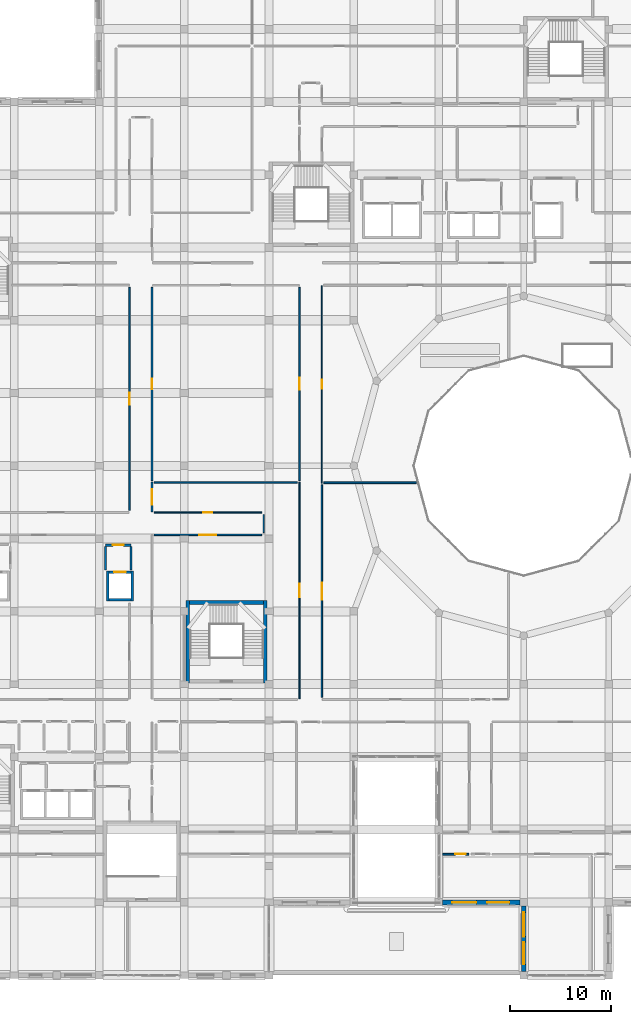
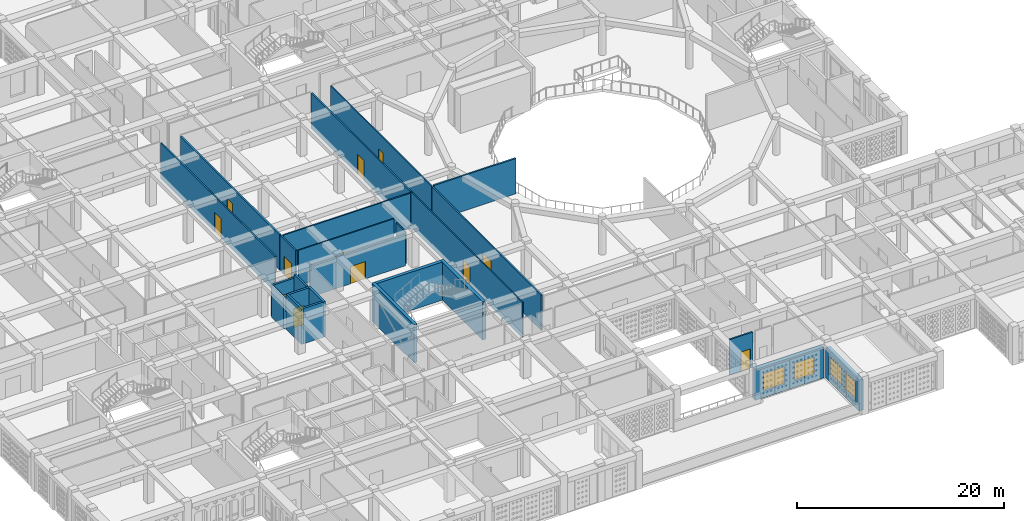
# One storey, part 60 of 111: 25 walls, 12 doors, 4 windows, 16 openings.
"""IFC4 building model written with IfcOpenShell, lengths in metres."""

from ifc_helpers import new_model, si_unit, derived_unit, direction, frame, frame_2d, origin, place, context, subcontext, project, spatial, rectangle, extrude, material, layer, layer_set, type_object, element, fill, save


model = new_model("IFC4")

# Units and contexts
model_context = context("Model", 3, precision=1e-05, world=origin(), true_north=direction((0.0, 1.0)))
body_context = subcontext(model_context, "Body", "Model", "MODEL_VIEW")
ifc_project = project(units=[si_unit("LENGTHUNIT", "METRE"), si_unit("AREAUNIT", "SQUARE_METRE"), si_unit("VOLUMEUNIT", "CUBIC_METRE"), si_unit("PLANEANGLEUNIT", "RADIAN"), si_unit("MASSUNIT", "GRAM", prefix="KILO"), derived_unit("THERMALTRANSMITTANCEUNIT", [(si_unit("POWERUNIT", "WATT"), 1), (si_unit("LENGTHUNIT", "METRE"), -2), (si_unit("THERMODYNAMICTEMPERATUREUNIT", "KELVIN"), -1)])], contexts=[model_context])

# Site, building, storey
site_placement = place(None, origin())
site = spatial("IfcSite", under=ifc_project, at=site_placement, CompositionType="ELEMENT")
building_placement = place(site_placement, origin())
building = spatial("IfcBuilding", under=site, at=building_placement, Name="Veybourne Emporium", CompositionType="ELEMENT")
storey_placement = place(building_placement, frame((0.0, 0.0, 9.89990234375)))
storey = spatial("IfcBuildingStorey", under=building, at=storey_placement, Name="L02", CompositionType="ELEMENT", Elevation=9.89990234375)

# Wall, openings, windows
ifc_material_1 = material(Name="Portland Limestone Ashlar", Category="masonry")
ifc_layer_1 = layer(ifc_material_1, 0.47998046875)
ifc_layer_set_1 = layer_set([ifc_layer_1], Name="Portland Limestone Ashlar")
wall_type_1 = type_object("IfcWallType", Name="ExtWall_EW-01", PredefinedType="SOLIDWALL", material=ifc_layer_set_1)
wall_1_placement = place(storey_placement, frame((75.22509765625, 7.199951171875, 0.0), z_axis=(0.0, 0.0, 1.0), x_axis=(-1.0, 0.0, 0.0)))
wall_1 = element("IfcWall", 1, at=wall_1_placement, inside=storey, type_object=wall_type_1, Name="L02 Portland stone external wall 035", PredefinedType="SOLIDWALL", context=body_context, shape_type="SweptSolid", body=[
    extrude(rectangle(XDim=7.650146484375, YDim=0.47998046875, at=frame_2d((3.8251953125, 0.0))), origin(), (0.0, 0.0, 1.0), 3.630126953125),
])
opening_1_placement = place(wall_1_placement, frame((1.0419921875, 0.0, 0.75)))
opening_1 = element("IfcOpeningElement", 2, at=opening_1_placement, cuts=wall_1, Name="Opening W-14", PredefinedType="OPENING", context=body_context, shape_type="SweptSolid", body=[
    extrude(rectangle(XDim=2.199951171875, YDim=2.080078125, at=frame_2d((1.10009765625, 1.0400390625))), frame((0.0, 0.260009765625, 0.0), z_axis=(0.0, -1.0, 0.0), x_axis=(1.0, 0.0, 0.0)), (0.0, 0.0, 1.0), 0.52001953125),
])
opening_2_placement = place(wall_1_placement, frame((4.30810546875, 0.0, 0.75)))
opening_2 = element("IfcOpeningElement", 3, at=opening_2_placement, cuts=wall_1, Name="Opening W-15", PredefinedType="OPENING", context=body_context, shape_type="SweptSolid", body=[
    extrude(rectangle(XDim=2.39990234375, YDim=2.080078125, at=frame_2d((1.199951171875, 1.0400390625))), frame((0.0, 0.260009765625, 0.0), z_axis=(0.0, -1.0, 0.0), x_axis=(1.0, 0.0, 0.0)), (0.0, 0.0, 1.0), 0.52001953125),
])
ifc_material_2 = material(Name="Low-E Triple Glazing", Category="glass")
window_type_1 = type_object("IfcWindowType", Name="Win_W-14", PartitioningType="TRIPLE_PANEL_VERTICAL", PredefinedType="WINDOW", material=ifc_material_2)
window_1_placement = place(opening_1_placement, origin())
window_1 = element("IfcWindow", 4, at=window_1_placement, inside=storey, type_object=window_type_1, Name="L02 tripartite bronze casement window W-14 (35.1)", OverallHeight=2.080078125, OverallWidth=2.199951171875, PartitioningType="TRIPLE_PANEL_VERTICAL", PredefinedType="WINDOW", context=body_context, shape_type="SweptSolid", body=[
    extrude(rectangle(XDim=2.199951171875, YDim=2.080078125, at=frame_2d((1.10009765625, 1.0400390625))), frame((0.0, 0.030029296875, 0.0), z_axis=(0.0, -1.0, 0.0), x_axis=(1.0, 0.0, 0.0)), (0.0, 0.0, 1.0), 0.06005859375),
])
fill(opening_1, window_1)
window_type_2 = type_object("IfcWindowType", Name="Win_W-15", PartitioningType="TRIPLE_PANEL_VERTICAL", PredefinedType="WINDOW", material=ifc_material_2)
window_2_placement = place(opening_2_placement, origin())
window_2 = element("IfcWindow", 5, at=window_2_placement, inside=storey, type_object=window_type_2, Name="L02 tripartite bronze casement window W-15 (35.2)", OverallHeight=2.080078125, OverallWidth=2.39990234375, PartitioningType="TRIPLE_PANEL_VERTICAL", PredefinedType="WINDOW", context=body_context, shape_type="SweptSolid", body=[
    extrude(rectangle(XDim=2.39990234375, YDim=2.080078125, at=frame_2d((1.199951171875, 1.0400390625))), frame((0.0, 0.030029296875, 0.0), z_axis=(0.0, -1.0, 0.0), x_axis=(1.0, 0.0, 0.0)), (0.0, 0.0, 1.0), 0.06005859375),
])
fill(opening_2, window_2)

wall_2_placement = place(storey_placement, frame((75.60009765625, 0.375, 0.0), z_axis=(0.0, 0.0, 1.0), x_axis=(0.0, 1.0, 0.0)))
wall_2 = element("IfcWall", 6, at=wall_2_placement, inside=storey, type_object=wall_type_1, Name="L02 Portland stone external wall 041", PredefinedType="SOLIDWALL", context=body_context, shape_type="SweptSolid", body=[
    extrude(rectangle(XDim=6.449951171875, YDim=0.47998046875, at=frame_2d((3.22509765625, 0.0))), origin(), (0.0, 0.0, 1.0), 3.630126953125),
])
opening_3_placement = place(wall_2_placement, frame((0.7060546875, 0.0, 0.75)))
opening_3 = element("IfcOpeningElement", 7, at=opening_3_placement, cuts=wall_2, Name="Opening W-22", PredefinedType="OPENING", context=body_context, shape_type="SweptSolid", body=[
    extrude(rectangle(XDim=2.199951171875, YDim=2.260009765625, at=frame_2d((1.10009765625, 1.1298828125))), frame((0.0, 0.260009765625, 0.0), z_axis=(0.0, -1.0, 0.0), x_axis=(1.0, 0.0, 0.0)), (0.0, 0.0, 1.0), 0.52001953125),
])
opening_4_placement = place(wall_2_placement, frame((3.444091796875, 0.0, 0.75)))
opening_4 = element("IfcOpeningElement", 8, at=opening_4_placement, cuts=wall_2, Name="Opening W-23", PredefinedType="OPENING", context=body_context, shape_type="SweptSolid", body=[
    extrude(rectangle(XDim=2.39990234375, YDim=2.260009765625, at=frame_2d((1.199951171875, 1.1298828125))), frame((0.0, 0.260009765625, 0.0), z_axis=(0.0, -1.0, 0.0), x_axis=(1.0, 0.0, 0.0)), (0.0, 0.0, 1.0), 0.52001953125),
])
window_type_3 = type_object("IfcWindowType", Name="Win_W-22", PartitioningType="TRIPLE_PANEL_VERTICAL", PredefinedType="WINDOW", material=ifc_material_2)
window_3_placement = place(opening_3_placement, origin())
window_3 = element("IfcWindow", 9, at=window_3_placement, inside=storey, type_object=window_type_3, Name="L02 tripartite bronze casement window W-22 (41.1)", OverallHeight=2.260009765625, OverallWidth=2.199951171875, PartitioningType="TRIPLE_PANEL_VERTICAL", PredefinedType="WINDOW", context=body_context, shape_type="SweptSolid", body=[
    extrude(rectangle(XDim=2.199951171875, YDim=2.260009765625, at=frame_2d((1.10009765625, 1.1298828125))), frame((0.0, 0.030029296875, 0.0), z_axis=(0.0, -1.0, 0.0), x_axis=(1.0, 0.0, 0.0)), (0.0, 0.0, 1.0), 0.06005859375),
])
fill(opening_3, window_3)
window_type_4 = type_object("IfcWindowType", Name="Win_W-23", PartitioningType="TRIPLE_PANEL_VERTICAL", PredefinedType="WINDOW", material=ifc_material_2)
window_4_placement = place(opening_4_placement, origin())
window_4 = element("IfcWindow", 10, at=window_4_placement, inside=storey, type_object=window_type_4, Name="L02 tripartite bronze casement window W-23 (41.2)", OverallHeight=2.260009765625, OverallWidth=2.39990234375, PartitioningType="TRIPLE_PANEL_VERTICAL", PredefinedType="WINDOW", context=body_context, shape_type="SweptSolid", body=[
    extrude(rectangle(XDim=2.39990234375, YDim=2.260009765625, at=frame_2d((1.199951171875, 1.1298828125))), frame((0.0, 0.030029296875, 0.0), z_axis=(0.0, -1.0, 0.0), x_axis=(1.0, 0.0, 0.0)), (0.0, 0.0, 1.0), 0.06005859375),
])
fill(opening_4, window_4)

# Walls
ifc_material_3 = material(Name="Concrete C40/50", Category="concrete")
ifc_layer_2 = layer(ifc_material_3, 0.35009765625)
ifc_layer_set_2 = layer_set([ifc_layer_2], Name="Concrete C40/50")
wall_type_2 = type_object("IfcWallType", Name="IntWall_CW-02", PredefinedType="SHEAR", material=ifc_layer_set_2)
wall_3_placement = place(storey_placement, frame((42.550048828125, 36.875, 0.0), z_axis=(0.0, 0.0, 1.0), x_axis=(1.0, 0.0, 0.0)))
element("IfcWall", 11, at=wall_3_placement, inside=storey, type_object=wall_type_2, Name="Core stair ST-05 north shear wall (L02)", PredefinedType="SHEAR", context=body_context, shape_type="SweptSolid", body=[
    extrude(rectangle(XDim=7.300048828125, YDim=0.35009765625, at=frame_2d((3.64990234375, 0.0))), origin(), (0.0, 0.0, 1.0), 4.5),
])
for number, where, z_axis, x_axis, name in (
    (12, (42.375, 37.050048828125, 0.0), (0.0, 0.0, 1.0), (0.0, -1.0, 0.0), "Core stair ST-05 west shear wall (L02)"),
    (13, (50.02490234375, 28.89990234375, 0.0), (0.0, 0.0, 1.0), (0.0, 1.0, 0.0), "Core stair ST-05 east shear wall (L02)"),
):
    element("IfcWall", number, at=place(storey_placement, frame(where, z_axis=z_axis, x_axis=x_axis)), inside=storey, type_object=wall_type_2, Name=name, PredefinedType="SHEAR", context=body_context, shape_type="SweptSolid", body=[
        extrude(rectangle(XDim=8.150146484375, YDim=0.35009765625, at=frame_2d((4.0751953125, 0.0))), origin(), (0.0, 0.0, 1.0), 4.5),
    ])

# Wall, opening, door
ifc_layer_3 = layer(ifc_material_3, 0.239990234375)
ifc_layer_set_3 = layer_set([ifc_layer_3], Name="Concrete C40/50")
wall_type_3 = type_object("IfcWallType", Name="IntWall_CW-04", PredefinedType="SHEAR", material=ifc_layer_set_3)
wall_4_placement = place(storey_placement, frame((36.760009765625, 39.8701171875, 0.0), z_axis=(0.0, 0.0, 1.0), x_axis=(-1.0, 0.0, 0.0)))
wall_4 = element("IfcWall", 14, at=wall_4_placement, inside=storey, type_object=wall_type_3, Name="Lift core C3 north shaft wall (L02)", PredefinedType="SHEAR", context=body_context, shape_type="SweptSolid", body=[
    extrude(rectangle(XDim=2.199951171875, YDim=0.239990234375, at=frame_2d((1.10009765625, 0.0))), origin(), (0.0, 0.0, 1.0), 4.18017578125),
])
opening_5_placement = place(wall_4_placement, frame((0.52490234375, 0.0, 0.0)))
opening_5 = element("IfcOpeningElement", 15, at=opening_5_placement, cuts=wall_4, Name="Opening LD-02", PredefinedType="OPENING", context=body_context, shape_type="SweptSolid", body=[
    extrude(rectangle(XDim=1.14990234375, YDim=2.25, at=frame_2d((0.574951171875, 1.125))), frame((0.0, 0.14013671875, 0.0), z_axis=(0.0, -1.0, 0.0), x_axis=(1.0, 0.0, 0.0)), (0.0, 0.0, 1.0), 0.280029296875),
])
ifc_material_4 = material(Name="Patinated Architectural Bronze", Category="bronze")
door_type_1 = type_object("IfcDoorType", Name="FireDoor_LD-02", OperationType="SLIDING_TO_LEFT", PredefinedType="DOOR", material=ifc_material_4)
door_1_placement = place(opening_5_placement, origin())
door_1 = element("IfcDoor", 16, at=door_1_placement, inside=storey, type_object=door_type_1, Name="Lift FFL-03 sliding landing door (L02)", OperationType="SLIDING_TO_LEFT", OverallHeight=2.25, OverallWidth=1.14990234375, PredefinedType="DOOR", context=body_context, shape_type="SweptSolid", body=[
    extrude(rectangle(XDim=1.14990234375, YDim=2.25, at=frame_2d((0.574951171875, 1.125))), frame((0.0, 0.02490234375, 0.0), z_axis=(0.0, -1.0, 0.0), x_axis=(1.0, 0.0, 0.0)), (0.0, 0.0, 1.0), 0.050048828125),
])
fill(opening_5, door_1)

# Walls
wall_5_placement = place(storey_placement, frame((34.56005859375, 37.1298828125, 0.0), z_axis=(0.0, 0.0, 1.0), x_axis=(1.0, 0.0, 0.0)))
element("IfcWall", 17, at=wall_5_placement, inside=storey, type_object=wall_type_3, Name="Lift core C3 south shaft wall (L02)", PredefinedType="SHEAR", context=body_context, shape_type="SweptSolid", body=[
    extrude(rectangle(XDim=2.199951171875, YDim=0.239990234375, at=frame_2d((1.10009765625, 0.0))), origin(), (0.0, 0.0, 1.0), 4.18017578125),
])
for number, where, z_axis, x_axis, name in (
    (18, (34.43994140625, 39.989990234375, 0.0), (0.0, 0.0, 1.0), (0.0, -1.0, 0.0), "Lift core C3 west shaft wall (L02)"),
    (19, (36.8798828125, 37.010009765625, 0.0), (0.0, 0.0, 1.0), (0.0, 1.0, 0.0), "Lift core C3 east shaft wall (L02)"),
):
    element("IfcWall", number, at=place(storey_placement, frame(where, z_axis=z_axis, x_axis=x_axis)), inside=storey, type_object=wall_type_3, Name=name, PredefinedType="SHEAR", context=body_context, shape_type="SweptSolid", body=[
        extrude(rectangle(XDim=2.97998046875, YDim=0.239990234375, at=frame_2d((1.489990234375, 0.0))), origin(), (0.0, 0.0, 1.0), 4.18017578125),
    ])

# Wall, opening, door
ifc_material_5 = material(Name="Concrete C32/40", Category="concrete")
ifc_layer_4 = layer(ifc_material_5, 0.219970703125)
ifc_layer_set_4 = layer_set([ifc_layer_4], Name="Concrete C32/40")
wall_type_4 = type_object("IfcWallType", Name="IntWall_FW-02", PredefinedType="SOLIDWALL", material=ifc_layer_set_4)
wall_6_placement = place(storey_placement, frame((34.219970703125, 42.550048828125, 0.0), z_axis=(0.0, 0.0, 1.0), x_axis=(1.0, 0.0, 0.0)))
wall_6 = element("IfcWall", 20, at=wall_6_placement, inside=storey, type_object=wall_type_4, Name="Firefighting lobby C3 fire wall N (L02)", PredefinedType="SOLIDWALL", context=body_context, shape_type="SweptSolid", body=[
    extrude(rectangle(XDim=2.5400390625, YDim=0.219970703125, at=frame_2d((1.27001953125, 0.0))), origin(), (0.0, 0.0, 1.0), 3.72998046875),
])
opening_6_placement = place(wall_6_placement, frame((0.7451171875, 0.0, 0.0)))
opening_6 = element("IfcOpeningElement", 21, at=opening_6_placement, cuts=wall_6, Name="Opening FD-02", PredefinedType="OPENING", context=body_context, shape_type="SweptSolid", body=[
    extrude(rectangle(XDim=1.050048828125, YDim=2.14990234375, at=frame_2d((0.52490234375, 1.074951171875))), frame((0.0, 0.1298828125, 0.0), z_axis=(0.0, -1.0, 0.0), x_axis=(1.0, 0.0, 0.0)), (0.0, 0.0, 1.0), 0.260009765625),
])
door_type_2 = type_object("IfcDoorType", Name="FireDoor_FD-02", OperationType="NOTDEFINED", PredefinedType="DOOR", material=ifc_material_4)
door_2_placement = place(opening_6_placement, origin())
door_2 = element("IfcDoor", 22, at=door_2_placement, inside=storey, type_object=door_type_2, Name="Firefighting lobby C3 FD60S door N (L02)", OperationType="SINGLE_SWING_LEFT", OverallHeight=2.14990234375, OverallWidth=1.050048828125, PredefinedType="DOOR", context=body_context, shape_type="SweptSolid", body=[
    extrude(rectangle(XDim=1.050048828125, YDim=2.14990234375, at=frame_2d((0.52490234375, 1.074951171875))), frame((0.0, 0.02490234375, 0.0), z_axis=(0.0, -1.0, 0.0), x_axis=(1.0, 0.0, 0.0)), (0.0, 0.0, 1.0), 0.050048828125),
])
fill(opening_6, door_2)

# Walls
wall_7_placement = place(storey_placement, frame((34.219970703125, 40.110107421875, 0.0), z_axis=(0.0, 0.0, 1.0), x_axis=(0.0, 1.0, 0.0)))
element("IfcWall", 23, at=wall_7_placement, inside=storey, type_object=wall_type_4, Name="Firefighting lobby C3 fire wall W (L02)", PredefinedType="SOLIDWALL", context=body_context, shape_type="SweptSolid", body=[
    extrude(rectangle(XDim=2.31982421875, YDim=0.219970703125, at=frame_2d((1.159912109375, 0.0))), origin(), (0.0, 0.0, 1.0), 3.72998046875),
])
wall_8_placement = place(storey_placement, frame((36.760009765625, 40.110107421875, 0.0), z_axis=(0.0, 0.0, 1.0), x_axis=(0.0, 1.0, 0.0)))
element("IfcWall", 24, at=wall_8_placement, inside=storey, type_object=wall_type_4, Name="Firefighting lobby C3 fire wall E (L02)", PredefinedType="SOLIDWALL", context=body_context, shape_type="SweptSolid", body=[
    extrude(rectangle(XDim=2.31982421875, YDim=0.219970703125, at=frame_2d((1.159912109375, 0.0))), origin(), (0.0, 0.0, 1.0), 4.18017578125),
])

# Wall, opening, door
ifc_material_6 = material(Name="Gypsum Acoustic Board", Category="gypsum")
ifc_layer_5 = layer(ifc_material_6, 0.179931640625)
ifc_layer_set_5 = layer_set([ifc_layer_5], Name="Gypsum Acoustic Board")
wall_type_5 = type_object("IfcWallType", Name="IntWall_IW-01", PredefinedType="PARTITIONING", material=ifc_layer_set_5)
wall_9_placement = place(storey_placement, frame((38.830078125, 48.93994140625, 0.0), z_axis=(0.0, 0.0, 1.0), x_axis=(0.0, 1.0, 0.0)))
wall_9 = element("IfcWall", 25, at=wall_9_placement, inside=storey, type_object=wall_type_5, Name="L02 interior partition IW-01 #006", PredefinedType="PARTITIONING", context=body_context, shape_type="SweptSolid", body=[
    extrude(rectangle(XDim=19.1201171875, YDim=0.179931640625, at=frame_2d((9.56005859375, 0.0))), origin(), (0.0, 0.0, 1.0), 4.18017578125),
])
opening_7_placement = place(wall_9_placement, frame((9.0400390625, 0.0, 0.0)))
opening_7 = element("IfcOpeningElement", 26, at=opening_7_placement, cuts=wall_9, Name="Opening D-26", PredefinedType="OPENING", context=body_context, shape_type="SweptSolid", body=[
    extrude(rectangle(XDim=1.0400390625, YDim=2.3701171875, at=frame_2d((0.52001953125, 1.18505859375))), frame((0.0, 0.10986328125, 0.0), z_axis=(0.0, -1.0, 0.0), x_axis=(1.0, 0.0, 0.0)), (0.0, 0.0, 1.0), 0.219970703125),
])
ifc_material_7 = material(Name="European Oak Veneer and Bronze", Category="wood")
door_type_3 = type_object("IfcDoorType", Name="IntDoor_D-26", OperationType="NOTDEFINED", PredefinedType="DOOR", material=ifc_material_7)
door_3_placement = place(opening_7_placement, origin())
door_3 = element("IfcDoor", 27, at=door_3_placement, inside=storey, type_object=door_type_3, Name="L02 interior door D-26 (PART-L02-006)", OperationType="SINGLE_SWING_LEFT", OverallHeight=2.3701171875, OverallWidth=1.0400390625, PredefinedType="DOOR", context=body_context, shape_type="SweptSolid", body=[
    extrude(rectangle(XDim=1.0400390625, YDim=2.3701171875, at=frame_2d((0.52001953125, 1.18505859375))), frame((0.0, 0.02490234375, 0.0), z_axis=(0.0, -1.0, 0.0), x_axis=(1.0, 0.0, 0.0)), (0.0, 0.0, 1.0), 0.050048828125),
])
fill(opening_7, door_3)

wall_10_placement = place(storey_placement, frame((38.830078125, 45.830078125, 0.0), z_axis=(0.0, 0.0, 1.0), x_axis=(0.0, 1.0, 0.0)))
wall_10 = element("IfcWall", 28, at=wall_10_placement, inside=storey, type_object=wall_type_5, Name="L02 interior partition IW-01 #105", PredefinedType="PARTITIONING", context=body_context, shape_type="SweptSolid", body=[
    extrude(rectangle(XDim=2.949951171875, YDim=0.179931640625, at=frame_2d((1.47509765625, 0.0))), origin(), (0.0, 0.0, 1.0), 4.18017578125),
])
opening_8_placement = place(wall_10_placement, frame((0.715087890625, 0.0, 0.0)))
opening_8 = element("IfcOpeningElement", 29, at=opening_8_placement, cuts=wall_10, Name="Opening D-17", PredefinedType="OPENING", context=body_context, shape_type="SweptSolid", body=[
    extrude(rectangle(XDim=1.52001953125, YDim=2.2099609375, at=frame_2d((0.760009765625, 1.10498046875))), frame((0.0, 0.10986328125, 0.0), z_axis=(0.0, -1.0, 0.0), x_axis=(1.0, 0.0, 0.0)), (0.0, 0.0, 1.0), 0.219970703125),
])
door_type_4 = type_object("IfcDoorType", Name="IntDoor_D-17", OperationType="NOTDEFINED", PredefinedType="DOOR", material=ifc_material_7)
door_4_placement = place(opening_8_placement, origin())
door_4 = element("IfcDoor", 30, at=door_4_placement, inside=storey, type_object=door_type_4, Name="L02 interior door D-17 (PART-L02-105)", OperationType="SINGLE_SWING_RIGHT", OverallHeight=2.2099609375, OverallWidth=1.52001953125, PredefinedType="DOOR", context=body_context, shape_type="SweptSolid", body=[
    extrude(rectangle(XDim=1.52001953125, YDim=2.2099609375, at=frame_2d((0.760009765625, 1.10498046875))), frame((0.0, 0.02490234375, 0.0), z_axis=(0.0, -1.0, 0.0), x_axis=(1.0, 0.0, 0.0)), (0.0, 0.0, 1.0), 0.050048828125),
])
fill(opening_8, door_4)

wall_11_placement = place(storey_placement, frame((67.570068359375, 11.969970703125, 0.0), z_axis=(0.0, 0.0, 1.0), x_axis=(1.0, 0.0, 0.0)))
wall_11 = element("IfcWall", 31, at=wall_11_placement, inside=storey, type_object=wall_type_5, Name="L02 interior partition IW-01 #108", PredefinedType="PARTITIONING", context=body_context, shape_type="SweptSolid", body=[
    extrude(rectangle(XDim=2.599853515625, YDim=0.179931640625, at=frame_2d((1.2998046875, 0.0))), origin(), (0.0, 0.0, 1.0), 4.18017578125),
])
opening_9_placement = place(wall_11_placement, frame((1.279296875, 0.0, 0.0)))
opening_9 = element("IfcOpeningElement", 32, at=opening_9_placement, cuts=wall_11, Name="Opening D-20", PredefinedType="OPENING", context=body_context, shape_type="SweptSolid", body=[
    extrude(rectangle(XDim=1.0400390625, YDim=2.2900390625, at=frame_2d((0.52001953125, 1.14501953125))), frame((0.0, 0.10986328125, 0.0), z_axis=(0.0, -1.0, 0.0), x_axis=(1.0, 0.0, 0.0)), (0.0, 0.0, 1.0), 0.219970703125),
])
door_type_5 = type_object("IfcDoorType", Name="IntDoor_D-20", OperationType="NOTDEFINED", PredefinedType="DOOR", material=ifc_material_7)
door_5_placement = place(opening_9_placement, origin())
door_5 = element("IfcDoor", 33, at=door_5_placement, inside=storey, type_object=door_type_5, Name="L02 interior door D-20 (PART-L02-108)", OperationType="SINGLE_SWING_RIGHT", OverallHeight=2.2900390625, OverallWidth=1.0400390625, PredefinedType="DOOR", context=body_context, shape_type="SweptSolid", body=[
    extrude(rectangle(XDim=1.0400390625, YDim=2.2900390625, at=frame_2d((0.52001953125, 1.14501953125))), frame((0.0, 0.02490234375, 0.0), z_axis=(0.0, -1.0, 0.0), x_axis=(1.0, 0.0, 0.0)), (0.0, 0.0, 1.0), 0.050048828125),
])
fill(opening_9, door_5)

# Wall
wall_12_placement = place(storey_placement, frame((55.840087890625, 48.72998046875, 0.0), z_axis=(0.0, 0.0, 1.0), x_axis=(1.0, 0.0, 0.0)))
element("IfcWall", 34, at=wall_12_placement, inside=storey, type_object=wall_type_5, Name="L02 interior partition IW-01 #186", PredefinedType="PARTITIONING", context=body_context, shape_type="SweptSolid", body=[
    extrude(rectangle(XDim=9.143798828125, YDim=0.179931640625, at=frame_2d((4.57177734375, 0.0))), origin(), (0.0, 0.0, 1.0), 4.18017578125),
])

# Wall, opening, door
ifc_layer_6 = layer(ifc_material_6, 0.14990234375)
ifc_layer_set_6 = layer_set([ifc_layer_6], Name="Gypsum Acoustic Board")
wall_type_6 = type_object("IfcWallType", Name="IntWall_IW-02", PredefinedType="PARTITIONING", material=ifc_layer_set_6)
wall_13_placement = place(storey_placement, frame((36.6201171875, 45.989990234375, 0.0), z_axis=(0.0, 0.0, 1.0), x_axis=(0.0, 1.0, 0.0)))
wall_13 = element("IfcWall", 35, at=wall_13_placement, inside=storey, type_object=wall_type_6, Name="L02 interior partition IW-02 #001", PredefinedType="PARTITIONING", context=body_context, shape_type="SweptSolid", body=[
    extrude(rectangle(XDim=22.070068359375, YDim=0.14990234375, at=frame_2d((11.03515625, 0.0))), origin(), (0.0, 0.0, 1.0), 4.18017578125),
])
opening_10_placement = place(wall_13_placement, frame((10.43505859375, 0.0, 0.0)))
opening_10 = element("IfcOpeningElement", 36, at=opening_10_placement, cuts=wall_13, Name="Opening D-21", PredefinedType="OPENING", context=body_context, shape_type="SweptSolid", body=[
    extrude(rectangle(XDim=1.199951171875, YDim=2.2900390625, at=frame_2d((0.60009765625, 1.14501953125))), frame((0.0, 0.094970703125, 0.0), z_axis=(0.0, -1.0, 0.0), x_axis=(1.0, 0.0, 0.0)), (0.0, 0.0, 1.0), 0.18994140625),
])
door_type_6 = type_object("IfcDoorType", Name="IntDoor_D-21", OperationType="NOTDEFINED", PredefinedType="DOOR", material=ifc_material_7)
door_6_placement = place(opening_10_placement, origin())
door_6 = element("IfcDoor", 37, at=door_6_placement, inside=storey, type_object=door_type_6, Name="L02 interior door D-21 (PART-L02-001)", OperationType="SINGLE_SWING_RIGHT", OverallHeight=2.2900390625, OverallWidth=1.199951171875, PredefinedType="DOOR", context=body_context, shape_type="SweptSolid", body=[
    extrude(rectangle(XDim=1.199951171875, YDim=2.2900390625, at=frame_2d((0.60009765625, 1.14501953125))), frame((0.0, 0.02490234375, 0.0), z_axis=(0.0, -1.0, 0.0), x_axis=(1.0, 0.0, 0.0)), (0.0, 0.0, 1.0), 0.050048828125),
])
fill(opening_10, door_6)

wall_14_placement = place(storey_placement, frame((55.6298828125, 27.489990234375, 0.0), z_axis=(0.0, 0.0, 1.0), x_axis=(0.0, 1.0, 0.0)))
wall_14 = element("IfcWall", 38, at=wall_14_placement, inside=storey, type_object=wall_type_6, Name="L02 interior partition IW-02 #004", PredefinedType="PARTITIONING", context=body_context, shape_type="SweptSolid", body=[
    extrude(rectangle(XDim=21.030029296875, YDim=0.14990234375, at=frame_2d((10.51513671875, 0.0))), origin(), (0.0, 0.0, 1.0), 4.18017578125),
])
opening_11_placement = place(wall_14_placement, frame((9.675048828125, 0.0, 0.0)))
opening_11 = element("IfcOpeningElement", 39, at=opening_11_placement, cuts=wall_14, Name="Opening D-24", PredefinedType="OPENING", context=body_context, shape_type="SweptSolid", body=[
    extrude(rectangle(XDim=1.679931640625, YDim=2.2900390625, at=frame_2d((0.83984375, 1.14501953125))), frame((0.0, 0.094970703125, 0.0), z_axis=(0.0, -1.0, 0.0), x_axis=(1.0, 0.0, 0.0)), (0.0, 0.0, 1.0), 0.18994140625),
])
door_type_7 = type_object("IfcDoorType", Name="IntDoor_D-24", OperationType="DOUBLE_DOOR_SINGLE_SWING", PredefinedType="DOOR", material=ifc_material_7)
door_7_placement = place(opening_11_placement, origin())
door_7 = element("IfcDoor", 40, at=door_7_placement, inside=storey, type_object=door_type_7, Name="L02 interior door D-24 (PART-L02-004)", OperationType="DOUBLE_DOOR_SINGLE_SWING", OverallHeight=2.2900390625, OverallWidth=1.679931640625, PredefinedType="DOOR", context=body_context, shape_type="SweptSolid", body=[
    extrude(rectangle(XDim=1.679931640625, YDim=2.2900390625, at=frame_2d((0.83984375, 1.14501953125))), frame((0.0, 0.02490234375, 0.0), z_axis=(0.0, -1.0, 0.0), x_axis=(1.0, 0.0, 0.0)), (0.0, 0.0, 1.0), 0.050048828125),
])
fill(opening_11, door_7)

wall_15_placement = place(storey_placement, frame((53.419921875, 48.93994140625, 0.0), z_axis=(0.0, 0.0, 1.0), x_axis=(0.0, 1.0, 0.0)))
wall_15 = element("IfcWall", 41, at=wall_15_placement, inside=storey, type_object=wall_type_6, Name="L02 interior partition IW-02 #007", PredefinedType="PARTITIONING", context=body_context, shape_type="SweptSolid", body=[
    extrude(rectangle(XDim=19.1201171875, YDim=0.14990234375, at=frame_2d((9.56005859375, 0.0))), origin(), (0.0, 0.0, 1.0), 4.18017578125),
])
opening_12_placement = place(wall_15_placement, frame((8.9599609375, 0.0, 0.0)))
opening_12 = element("IfcOpeningElement", 42, at=opening_12_placement, cuts=wall_15, Name="Opening D-27", PredefinedType="OPENING", context=body_context, shape_type="SweptSolid", body=[
    extrude(rectangle(XDim=1.199951171875, YDim=2.3701171875, at=frame_2d((0.60009765625, 1.18505859375))), frame((0.0, 0.094970703125, 0.0), z_axis=(0.0, -1.0, 0.0), x_axis=(1.0, 0.0, 0.0)), (0.0, 0.0, 1.0), 0.18994140625),
])
door_type_8 = type_object("IfcDoorType", Name="IntDoor_D-27", OperationType="NOTDEFINED", PredefinedType="DOOR", material=ifc_material_7)
door_8_placement = place(opening_12_placement, origin())
door_8 = element("IfcDoor", 43, at=door_8_placement, inside=storey, type_object=door_type_8, Name="L02 interior door D-27 (PART-L02-007)", OperationType="SINGLE_SWING_RIGHT", OverallHeight=2.3701171875, OverallWidth=1.199951171875, PredefinedType="DOOR", context=body_context, shape_type="SweptSolid", body=[
    extrude(rectangle(XDim=1.199951171875, YDim=2.3701171875, at=frame_2d((0.60009765625, 1.18505859375))), frame((0.0, 0.02490234375, 0.0), z_axis=(0.0, -1.0, 0.0), x_axis=(1.0, 0.0, 0.0)), (0.0, 0.0, 1.0), 0.050048828125),
])
fill(opening_12, door_8)

wall_16_placement = place(storey_placement, frame((39.0400390625, 43.570068359375, 0.0), z_axis=(0.0, 0.0, 1.0), x_axis=(1.0, 0.0, 0.0)))
wall_16 = element("IfcWall", 44, at=wall_16_placement, inside=storey, type_object=wall_type_6, Name="L02 interior partition IW-02 #058", PredefinedType="PARTITIONING", context=body_context, shape_type="SweptSolid", body=[
    extrude(rectangle(XDim=10.6298828125, YDim=0.14990234375, at=frame_2d((5.31494140625, 0.0))), origin(), (0.0, 0.0, 1.0), 3.72998046875),
])
opening_13_placement = place(wall_16_placement, frame((4.47509765625, 0.0, 0.0)))
opening_13 = element("IfcOpeningElement", 45, at=opening_13_placement, cuts=wall_16, Name="Opening D-06", PredefinedType="OPENING", context=body_context, shape_type="SweptSolid", body=[
    extrude(rectangle(XDim=1.679931640625, YDim=2.050048828125, at=frame_2d((0.83984375, 1.02490234375))), frame((0.0, 0.094970703125, 0.0), z_axis=(0.0, -1.0, 0.0), x_axis=(1.0, 0.0, 0.0)), (0.0, 0.0, 1.0), 0.18994140625),
])
door_type_9 = type_object("IfcDoorType", Name="IntDoor_D-06", OperationType="DOUBLE_DOOR_SINGLE_SWING", PredefinedType="DOOR", material=ifc_material_7)
door_9_placement = place(opening_13_placement, origin())
door_9 = element("IfcDoor", 46, at=door_9_placement, inside=storey, type_object=door_type_9, Name="L02 interior door D-06 (PART-L02-058)", OperationType="DOUBLE_DOOR_SINGLE_SWING", OverallHeight=2.050048828125, OverallWidth=1.679931640625, PredefinedType="DOOR", context=body_context, shape_type="SweptSolid", body=[
    extrude(rectangle(XDim=1.679931640625, YDim=2.050048828125, at=frame_2d((0.83984375, 1.02490234375))), frame((0.0, 0.02490234375, 0.0), z_axis=(0.0, -1.0, 0.0), x_axis=(1.0, 0.0, 0.0)), (0.0, 0.0, 1.0), 0.050048828125),
])
fill(opening_13, door_9)

# Wall
wall_17_placement = place(storey_placement, frame((39.0400390625, 48.72998046875, 0.0), z_axis=(0.0, 0.0, 1.0), x_axis=(1.0, 0.0, 0.0)))
element("IfcWall", 47, at=wall_17_placement, inside=storey, type_object=wall_type_6, Name="L02 interior partition IW-02 #172", PredefinedType="PARTITIONING", context=body_context, shape_type="SweptSolid", body=[
    extrude(rectangle(XDim=14.169921875, YDim=0.14990234375, at=frame_2d((7.0849609375, 0.0))), origin(), (0.0, 0.0, 1.0), 4.18017578125),
])

# Wall, opening, door
ifc_layer_7 = layer(ifc_material_6, 0.1201171875)
ifc_layer_set_7 = layer_set([ifc_layer_7], Name="Gypsum Acoustic Board")
wall_type_7 = type_object("IfcWallType", Name="IntWall_IW-03", PredefinedType="PARTITIONING", material=ifc_layer_set_7)
wall_18_placement = place(storey_placement, frame((53.419921875, 27.330078125, 0.0), z_axis=(0.0, 0.0, 1.0), x_axis=(0.0, 1.0, 0.0)))
wall_18 = element("IfcWall", 48, at=wall_18_placement, inside=storey, type_object=wall_type_7, Name="L02 interior partition IW-03 #002", PredefinedType="PARTITIONING", context=body_context, shape_type="SweptSolid", body=[
    extrude(rectangle(XDim=21.449951171875, YDim=0.1201171875, at=frame_2d((10.72509765625, 0.0))), origin(), (0.0, 0.0, 1.0), 4.18017578125),
])
opening_14_placement = place(wall_18_placement, frame((10.044921875, 0.0, 0.0)))
opening_14 = element("IfcOpeningElement", 49, at=opening_14_placement, cuts=wall_18, Name="Opening D-22", PredefinedType="OPENING", context=body_context, shape_type="SweptSolid", body=[
    extrude(rectangle(XDim=1.360107421875, YDim=2.2900390625, at=frame_2d((0.68017578125, 1.14501953125))), frame((0.0, 0.080078125, 0.0), z_axis=(0.0, -1.0, 0.0), x_axis=(1.0, 0.0, 0.0)), (0.0, 0.0, 1.0), 0.16015625),
])
door_type_10 = type_object("IfcDoorType", Name="IntDoor_D-22", OperationType="NOTDEFINED", PredefinedType="DOOR", material=ifc_material_7)
door_10_placement = place(opening_14_placement, origin())
door_10 = element("IfcDoor", 50, at=door_10_placement, inside=storey, type_object=door_type_10, Name="L02 interior door D-22 (PART-L02-002)", OperationType="SINGLE_SWING_LEFT", OverallHeight=2.2900390625, OverallWidth=1.360107421875, PredefinedType="DOOR", context=body_context, shape_type="SweptSolid", body=[
    extrude(rectangle(XDim=1.360107421875, YDim=2.2900390625, at=frame_2d((0.68017578125, 1.14501953125))), frame((0.0, 0.02490234375, 0.0), z_axis=(0.0, -1.0, 0.0), x_axis=(1.0, 0.0, 0.0)), (0.0, 0.0, 1.0), 0.050048828125),
])
fill(opening_14, door_10)

wall_19_placement = place(storey_placement, frame((55.6298828125, 48.679931640625, 0.0), z_axis=(0.0, 0.0, 1.0), x_axis=(0.0, 1.0, 0.0)))
wall_19 = element("IfcWall", 51, at=wall_19_placement, inside=storey, type_object=wall_type_7, Name="L02 interior partition IW-03 #005", PredefinedType="PARTITIONING", context=body_context, shape_type="SweptSolid", body=[
    extrude(rectangle(XDim=19.5400390625, YDim=0.1201171875, at=frame_2d((9.77001953125, 0.0))), origin(), (0.0, 0.0, 1.0), 4.18017578125),
])
opening_15_placement = place(wall_19_placement, frame((9.330078125, 0.0, 0.0)))
opening_15 = element("IfcOpeningElement", 52, at=opening_15_placement, cuts=wall_19, Name="Opening D-25", PredefinedType="OPENING", context=body_context, shape_type="SweptSolid", body=[
    extrude(rectangle(XDim=0.8798828125, YDim=2.3701171875, at=frame_2d((0.43994140625, 1.18505859375))), frame((0.0, 0.080078125, 0.0), z_axis=(0.0, -1.0, 0.0), x_axis=(1.0, 0.0, 0.0)), (0.0, 0.0, 1.0), 0.16015625),
])
door_type_11 = type_object("IfcDoorType", Name="IntDoor_D-25", OperationType="NOTDEFINED", PredefinedType="DOOR", material=ifc_material_7)
door_11_placement = place(opening_15_placement, origin())
door_11 = element("IfcDoor", 53, at=door_11_placement, inside=storey, type_object=door_type_11, Name="L02 interior door D-25 (PART-L02-005)", OperationType="SINGLE_SWING_RIGHT", OverallHeight=2.3701171875, OverallWidth=0.8798828125, PredefinedType="DOOR", context=body_context, shape_type="SweptSolid", body=[
    extrude(rectangle(XDim=0.8798828125, YDim=2.3701171875, at=frame_2d((0.43994140625, 1.18505859375))), frame((0.0, 0.02490234375, 0.0), z_axis=(0.0, -1.0, 0.0), x_axis=(1.0, 0.0, 0.0)), (0.0, 0.0, 1.0), 0.050048828125),
])
fill(opening_15, door_11)

wall_20_placement = place(storey_placement, frame((39.0400390625, 45.780029296875, 0.0), z_axis=(0.0, 0.0, 1.0), x_axis=(1.0, 0.0, 0.0)))
wall_20 = element("IfcWall", 54, at=wall_20_placement, inside=storey, type_object=wall_type_7, Name="L02 interior partition IW-03 #059", PredefinedType="PARTITIONING", context=body_context, shape_type="SweptSolid", body=[
    extrude(rectangle(XDim=10.6298828125, YDim=0.1201171875, at=frame_2d((5.31494140625, 0.0))), origin(), (0.0, 0.0, 1.0), 4.18017578125),
])
opening_16_placement = place(wall_20_placement, frame((4.875, 0.0, 0.0)))
opening_16 = element("IfcOpeningElement", 55, at=opening_16_placement, cuts=wall_20, Name="Opening D-07", PredefinedType="OPENING", context=body_context, shape_type="SweptSolid", body=[
    extrude(rectangle(XDim=0.8798828125, YDim=2.1298828125, at=frame_2d((0.43994140625, 1.06494140625))), frame((0.0, 0.080078125, 0.0), z_axis=(0.0, -1.0, 0.0), x_axis=(1.0, 0.0, 0.0)), (0.0, 0.0, 1.0), 0.16015625),
])
door_type_12 = type_object("IfcDoorType", Name="IntDoor_D-07", OperationType="NOTDEFINED", PredefinedType="DOOR", material=ifc_material_7)
door_12_placement = place(opening_16_placement, origin())
door_12 = element("IfcDoor", 56, at=door_12_placement, inside=storey, type_object=door_type_12, Name="L02 interior door D-07 (PART-L02-059)", OperationType="SINGLE_SWING_RIGHT", OverallHeight=2.1298828125, OverallWidth=0.8798828125, PredefinedType="DOOR", context=body_context, shape_type="SweptSolid", body=[
    extrude(rectangle(XDim=0.8798828125, YDim=2.1298828125, at=frame_2d((0.43994140625, 1.06494140625))), frame((0.0, 0.02490234375, 0.0), z_axis=(0.0, -1.0, 0.0), x_axis=(1.0, 0.0, 0.0)), (0.0, 0.0, 1.0), 0.050048828125),
])
fill(opening_16, door_12)

# Wall
wall_21_placement = place(storey_placement, frame((49.8798828125, 43.780029296875, 0.0), z_axis=(0.0, 0.0, 1.0), x_axis=(0.0, 1.0, 0.0)))
element("IfcWall", 57, at=wall_21_placement, inside=storey, type_object=wall_type_7, Name="L02 interior partition IW-03 #143", PredefinedType="PARTITIONING", context=body_context, shape_type="SweptSolid", body=[
    extrude(rectangle(XDim=1.7900390625, YDim=0.1201171875, at=frame_2d((0.89501953125, 0.0))), origin(), (0.0, 0.0, 1.0), 3.72998046875),
])

save(model, "model.ifc")
